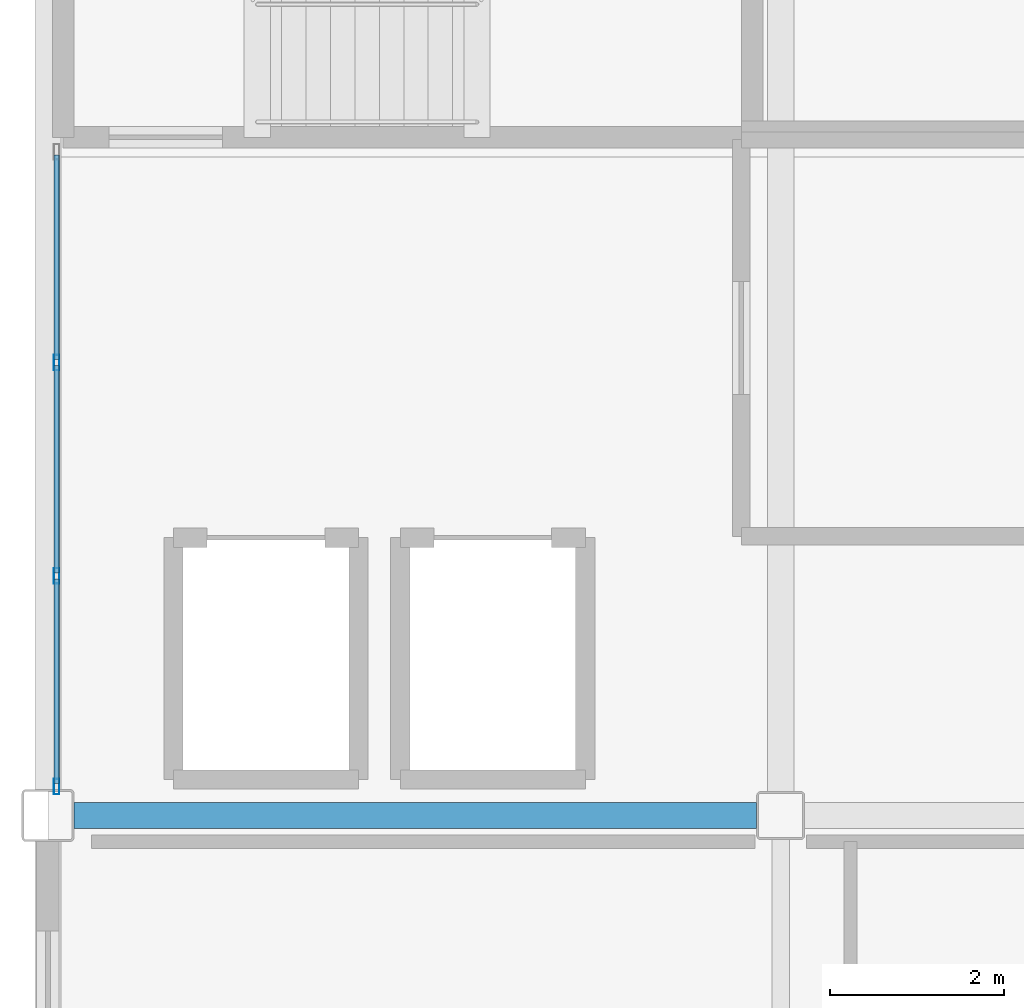
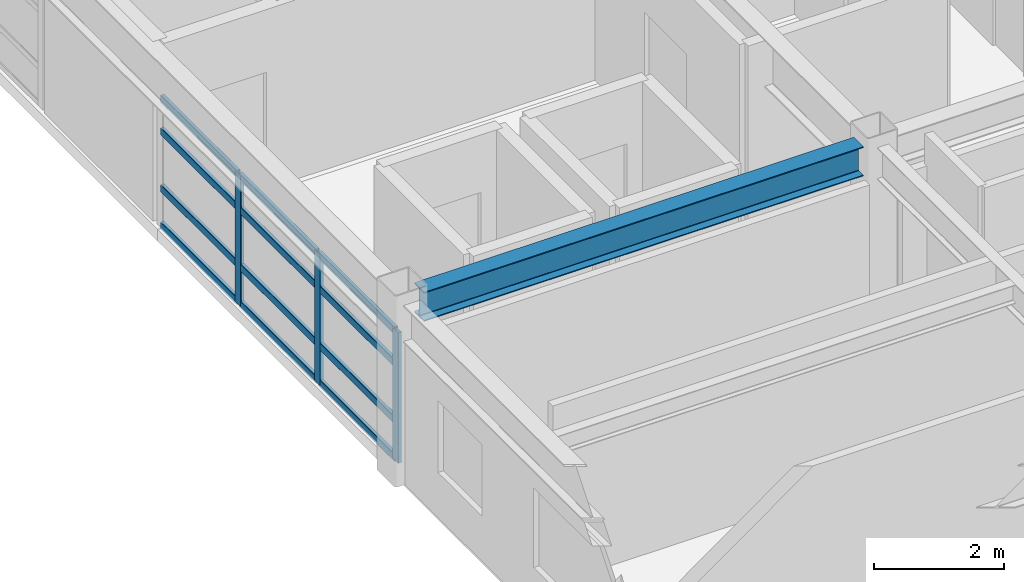
# One storey, part 13 of 36: 15 members, 1 beam, 1 element without a shape of its own.
"""IFC4 building model written with IfcOpenShell, lengths in metres."""

from ifc_helpers import new_model, si_unit, direction, frame, origin, origin_2d, place, context, subcontext, project, spatial, hollow_rectangle, i_section, extrude, material, layer, layer_set, material_profile, profile_set, type_object, element, aggregate, save


model = new_model("IFC4")

# Units and contexts
model_context = context("Model", 3, precision=1e-05, world=origin(), true_north=direction((0.0, 1.0)))
body_context = subcontext(model_context, "Body", "Model", "MODEL_VIEW")
ifc_project = project(units=[si_unit("LENGTHUNIT", "METRE"), si_unit("AREAUNIT", "SQUARE_METRE"), si_unit("VOLUMEUNIT", "CUBIC_METRE"), si_unit("PLANEANGLEUNIT", "RADIAN"), si_unit("MASSUNIT", "GRAM", prefix="KILO")], contexts=[model_context])

# Site, building, storey
site_placement = place(None, origin())
site = spatial("IfcSite", under=ifc_project, at=site_placement, CompositionType="ELEMENT")
building_placement = place(site_placement, origin())
building = spatial("IfcBuilding", under=site, at=building_placement, Name="Kazehara Bluff Congress Hotel", CompositionType="ELEMENT")
storey_placement = place(building_placement, frame((0.0, 0.0, 28.199951171875)))
storey = spatial("IfcBuildingStorey", under=building, at=storey_placement, Name="L06", CompositionType="ELEMENT", Elevation=28.199951171875)

# Curtain wall, members
ifc_material_1 = material(Name="Anodised aluminium", Category="aluminium")
ifc_layer = layer(ifc_material_1, 0.159912109375)
ifc_layer_set = layer_set([ifc_layer], Name="Anodised aluminium")
curtain_wall_type = type_object("IfcCurtainWallType", Name="TP-CW-177", PredefinedType="NOTDEFINED", material=ifc_layer_set)
curtain_wall_placement = place(storey_placement, origin())
curtain_wall = element("IfcCurtainWall", 1, at=curtain_wall_placement, inside=storey, type_object=curtain_wall_type, Name="L06 curtain wall CW-177 CW-ENC-V5-L06-14380-4487", PredefinedType="NOTDEFINED")
ifc_material_2 = material(Name="Anodised aluminium", Category="aluminium")
ifc_material_profile_1 = material_profile(ifc_material_2, hollow_rectangle(XDim=0.06494140625, YDim=0.179931640625, WallThickness=0.00390625, InnerFilletRadius=0.00390625, OuterFilletRadius=0.008056640625, at=origin_2d()))
ifc_profile_set_1 = profile_set([ifc_material_profile_1], Name="Anodised aluminium")
member_type_1 = type_object("IfcMemberType", Name="TP-CWM-02", PredefinedType="MULLION", material=ifc_profile_set_1)
member_1_placement = place(storey_placement, frame((143.800048828125, 41.232421875, 0.0), z_axis=(0.0, 0.0, 1.0), x_axis=(-1.0, 0.0, 0.0)))
member_1 = element("IfcMember", 2, at=member_1_placement, type_object=member_type_1, Name="CW-177 mullion 1", PredefinedType="MULLION", context=body_context, shape_type="SweptSolid", body=[
    extrude(hollow_rectangle(XDim=0.06494140625, YDim=0.179931640625, WallThickness=0.00390625, InnerFilletRadius=0.00390625, OuterFilletRadius=0.008056640625, at=origin_2d()), origin(), (0.0, 0.0, 1.0), 2.455078125),
])
member_2_placement = place(storey_placement, frame((143.800048828125, 43.646728515625, 0.0), z_axis=(0.0, 0.0, 1.0), x_axis=(-1.0, 0.0, 0.0)))
member_2 = element("IfcMember", 3, at=member_2_placement, type_object=member_type_1, Name="CW-177 mullion 2", PredefinedType="MULLION", context=body_context, shape_type="SweptSolid", body=[
    extrude(hollow_rectangle(XDim=0.06494140625, YDim=0.179931640625, WallThickness=0.00390625, InnerFilletRadius=0.00390625, OuterFilletRadius=0.008056640625, at=origin_2d()), origin(), (0.0, 0.0, 1.0), 2.455078125),
])
member_3_placement = place(storey_placement, frame((143.800048828125, 46.09326171875, 0.0), z_axis=(0.0, 0.0, 1.0), x_axis=(-1.0, 0.0, 0.0)))
member_3 = element("IfcMember", 4, at=member_3_placement, type_object=member_type_1, Name="CW-177 mullion 3", PredefinedType="MULLION", context=body_context, shape_type="SweptSolid", body=[
    extrude(hollow_rectangle(XDim=0.06494140625, YDim=0.179931640625, WallThickness=0.00390625, InnerFilletRadius=0.00390625, OuterFilletRadius=0.008056640625, at=origin_2d()), origin(), (0.0, 0.0, 1.0), 2.455078125),
])
ifc_material_3 = material(Name="Anodised aluminium", Category="aluminium")
ifc_material_profile_2 = material_profile(ifc_material_3, hollow_rectangle(XDim=0.06494140625, YDim=0.139892578125, WallThickness=0.00390625, InnerFilletRadius=0.00390625, OuterFilletRadius=0.008056640625, at=origin_2d()))
ifc_profile_set_2 = profile_set([ifc_material_profile_2], Name="Anodised aluminium")
member_type_2 = type_object("IfcMemberType", Name="TP-CWT-02", PredefinedType="USERDEFINED", material=ifc_profile_set_2)
member_4_placement = place(storey_placement, frame((143.800048828125, 41.264892578125, 0.032470703125), z_axis=(0.0, 1.0, 0.0), x_axis=(-1.0, 0.0, 0.0)))
member_4 = element("IfcMember", 5, at=member_4_placement, type_object=member_type_2, Name="CW-177 transom 1.1", ObjectType="TRANSOM", PredefinedType="USERDEFINED", context=body_context, shape_type="SweptSolid", body=[
    extrude(hollow_rectangle(XDim=0.06494140625, YDim=0.139892578125, WallThickness=0.00390625, InnerFilletRadius=0.00390625, OuterFilletRadius=0.008056640625, at=origin_2d()), origin(), (0.0, 0.0, 1.0), 2.349365234375),
])
member_5_placement = place(storey_placement, frame((143.800048828125, 41.264892578125, 0.735107421875), z_axis=(0.0, 1.0, 0.0), x_axis=(-1.0, 0.0, 0.0)))
member_5 = element("IfcMember", 6, at=member_5_placement, type_object=member_type_2, Name="CW-177 transom 1.2", ObjectType="TRANSOM", PredefinedType="USERDEFINED", context=body_context, shape_type="SweptSolid", body=[
    extrude(hollow_rectangle(XDim=0.06494140625, YDim=0.139892578125, WallThickness=0.00390625, InnerFilletRadius=0.00390625, OuterFilletRadius=0.008056640625, at=origin_2d()), origin(), (0.0, 0.0, 1.0), 2.349365234375),
])
member_6_placement = place(storey_placement, frame((143.800048828125, 41.264892578125, 1.804931640625), z_axis=(0.0, 1.0, 0.0), x_axis=(-1.0, 0.0, 0.0)))
member_6 = element("IfcMember", 7, at=member_6_placement, type_object=member_type_2, Name="CW-177 transom 1.3", ObjectType="TRANSOM", PredefinedType="USERDEFINED", context=body_context, shape_type="SweptSolid", body=[
    extrude(hollow_rectangle(XDim=0.06494140625, YDim=0.139892578125, WallThickness=0.00390625, InnerFilletRadius=0.00390625, OuterFilletRadius=0.008056640625, at=origin_2d()), origin(), (0.0, 0.0, 1.0), 2.349365234375),
])
member_7_placement = place(storey_placement, frame((143.800048828125, 41.264892578125, 2.422607421875), z_axis=(0.0, 1.0, 0.0), x_axis=(-1.0, 0.0, 0.0)))
member_7 = element("IfcMember", 8, at=member_7_placement, type_object=member_type_2, Name="CW-177 transom 1.4", ObjectType="TRANSOM", PredefinedType="USERDEFINED", context=body_context, shape_type="SweptSolid", body=[
    extrude(hollow_rectangle(XDim=0.06494140625, YDim=0.139892578125, WallThickness=0.00390625, InnerFilletRadius=0.00390625, OuterFilletRadius=0.008056640625, at=origin_2d()), origin(), (0.0, 0.0, 1.0), 2.349365234375),
])
member_8_placement = place(storey_placement, frame((143.800048828125, 43.67919921875, 0.032470703125), z_axis=(0.0, 1.0, 0.0), x_axis=(-1.0, 0.0, 0.0)))
member_8 = element("IfcMember", 9, at=member_8_placement, type_object=member_type_2, Name="CW-177 transom 2.1", ObjectType="TRANSOM", PredefinedType="USERDEFINED", context=body_context, shape_type="SweptSolid", body=[
    extrude(hollow_rectangle(XDim=0.06494140625, YDim=0.139892578125, WallThickness=0.00390625, InnerFilletRadius=0.00390625, OuterFilletRadius=0.008056640625, at=origin_2d()), origin(), (0.0, 0.0, 1.0), 2.381591796875),
])
member_9_placement = place(storey_placement, frame((143.800048828125, 43.67919921875, 0.735107421875), z_axis=(0.0, 1.0, 0.0), x_axis=(-1.0, 0.0, 0.0)))
member_9 = element("IfcMember", 10, at=member_9_placement, type_object=member_type_2, Name="CW-177 transom 2.2", ObjectType="TRANSOM", PredefinedType="USERDEFINED", context=body_context, shape_type="SweptSolid", body=[
    extrude(hollow_rectangle(XDim=0.06494140625, YDim=0.139892578125, WallThickness=0.00390625, InnerFilletRadius=0.00390625, OuterFilletRadius=0.008056640625, at=origin_2d()), origin(), (0.0, 0.0, 1.0), 2.381591796875),
])
member_10_placement = place(storey_placement, frame((143.800048828125, 43.67919921875, 1.804931640625), z_axis=(0.0, 1.0, 0.0), x_axis=(-1.0, 0.0, 0.0)))
member_10 = element("IfcMember", 11, at=member_10_placement, type_object=member_type_2, Name="CW-177 transom 2.3", ObjectType="TRANSOM", PredefinedType="USERDEFINED", context=body_context, shape_type="SweptSolid", body=[
    extrude(hollow_rectangle(XDim=0.06494140625, YDim=0.139892578125, WallThickness=0.00390625, InnerFilletRadius=0.00390625, OuterFilletRadius=0.008056640625, at=origin_2d()), origin(), (0.0, 0.0, 1.0), 2.381591796875),
])
member_11_placement = place(storey_placement, frame((143.800048828125, 43.67919921875, 2.422607421875), z_axis=(0.0, 1.0, 0.0), x_axis=(-1.0, 0.0, 0.0)))
member_11 = element("IfcMember", 12, at=member_11_placement, type_object=member_type_2, Name="CW-177 transom 2.4", ObjectType="TRANSOM", PredefinedType="USERDEFINED", context=body_context, shape_type="SweptSolid", body=[
    extrude(hollow_rectangle(XDim=0.06494140625, YDim=0.139892578125, WallThickness=0.00390625, InnerFilletRadius=0.00390625, OuterFilletRadius=0.008056640625, at=origin_2d()), origin(), (0.0, 0.0, 1.0), 2.381591796875),
])
member_12_placement = place(storey_placement, frame((143.800048828125, 46.125732421875, 0.032470703125), z_axis=(0.0, 1.0, 0.0), x_axis=(-1.0, 0.0, 0.0)))
member_12 = element("IfcMember", 13, at=member_12_placement, type_object=member_type_2, Name="CW-177 transom 3.1", ObjectType="TRANSOM", PredefinedType="USERDEFINED", context=body_context, shape_type="SweptSolid", body=[
    extrude(hollow_rectangle(XDim=0.06494140625, YDim=0.139892578125, WallThickness=0.00390625, InnerFilletRadius=0.00390625, OuterFilletRadius=0.008056640625, at=origin_2d()), origin(), (0.0, 0.0, 1.0), 2.349365234375),
])
member_13_placement = place(storey_placement, frame((143.800048828125, 46.125732421875, 0.735107421875), z_axis=(0.0, 1.0, 0.0), x_axis=(-1.0, 0.0, 0.0)))
member_13 = element("IfcMember", 14, at=member_13_placement, type_object=member_type_2, Name="CW-177 transom 3.2", ObjectType="TRANSOM", PredefinedType="USERDEFINED", context=body_context, shape_type="SweptSolid", body=[
    extrude(hollow_rectangle(XDim=0.06494140625, YDim=0.139892578125, WallThickness=0.00390625, InnerFilletRadius=0.00390625, OuterFilletRadius=0.008056640625, at=origin_2d()), origin(), (0.0, 0.0, 1.0), 2.349365234375),
])
member_14_placement = place(storey_placement, frame((143.800048828125, 46.125732421875, 1.804931640625), z_axis=(0.0, 1.0, 0.0), x_axis=(-1.0, 0.0, 0.0)))
member_14 = element("IfcMember", 15, at=member_14_placement, type_object=member_type_2, Name="CW-177 transom 3.3", ObjectType="TRANSOM", PredefinedType="USERDEFINED", context=body_context, shape_type="SweptSolid", body=[
    extrude(hollow_rectangle(XDim=0.06494140625, YDim=0.139892578125, WallThickness=0.00390625, InnerFilletRadius=0.00390625, OuterFilletRadius=0.008056640625, at=origin_2d()), origin(), (0.0, 0.0, 1.0), 2.349365234375),
])
member_15_placement = place(storey_placement, frame((143.800048828125, 46.125732421875, 2.422607421875), z_axis=(0.0, 1.0, 0.0), x_axis=(-1.0, 0.0, 0.0)))
member_15 = element("IfcMember", 16, at=member_15_placement, type_object=member_type_2, Name="CW-177 transom 3.4", ObjectType="TRANSOM", PredefinedType="USERDEFINED", context=body_context, shape_type="SweptSolid", body=[
    extrude(hollow_rectangle(XDim=0.06494140625, YDim=0.139892578125, WallThickness=0.00390625, InnerFilletRadius=0.00390625, OuterFilletRadius=0.008056640625, at=origin_2d()), origin(), (0.0, 0.0, 1.0), 2.349365234375),
])
aggregate(curtain_wall, [member_1, member_2, member_3, member_4, member_5, member_6, member_7, member_8, member_9, member_10, member_11, member_12, member_13, member_14, member_15])

# Beam
ifc_material_4 = material(Name="Steel SN490B", Category="steel")
ifc_material_profile_3 = material_profile(ifc_material_4, i_section(OverallWidth=0.300048828125, OverallDepth=0.550048828125, WebThickness=0.010986328125, FlangeThickness=0.01806640625, FilletRadius=0.012939453125, at=origin_2d()))
ifc_profile_set_3 = profile_set([ifc_material_profile_3], Name="Steel SN490B")
beam_type = type_object("IfcBeamType", Name="TP-G-12", PredefinedType="BEAM", material=ifc_profile_set_3)
beam_placement = place(storey_placement, frame((144.0, 40.89990234375, 3.10498046875), z_axis=(1.0, 0.0, 0.0), x_axis=(0.0, 1.0, 0.0)))
element("IfcBeam", 17, at=beam_placement, inside=storey, type_object=beam_type, Name="L06 girder G-12 59", PredefinedType="BEAM", context=body_context, shape_type="SweptSolid", body=[
    extrude(i_section(OverallWidth=0.300048828125, OverallDepth=0.550048828125, WebThickness=0.010986328125, FlangeThickness=0.01806640625, FilletRadius=0.012939453125, at=origin_2d()), origin(), (0.0, 0.0, 1.0), 7.824951171875),
])

save(model, "model.ifc")
